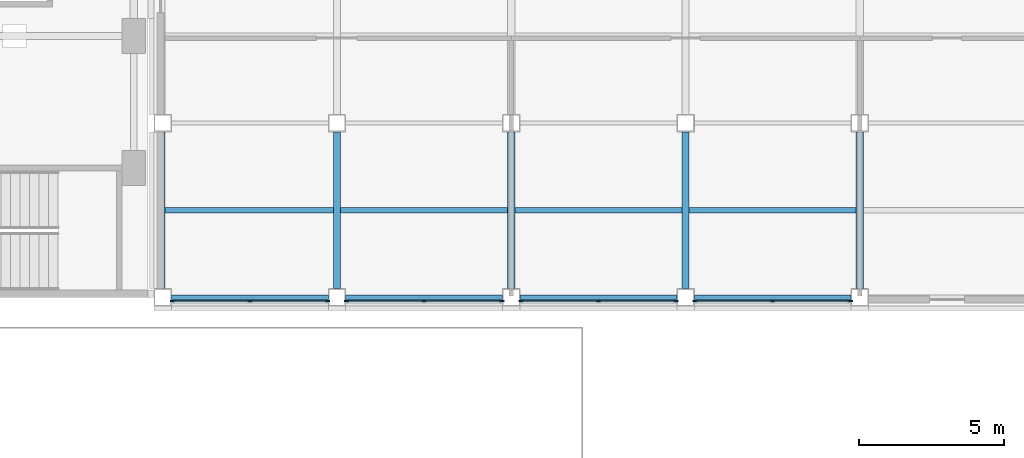
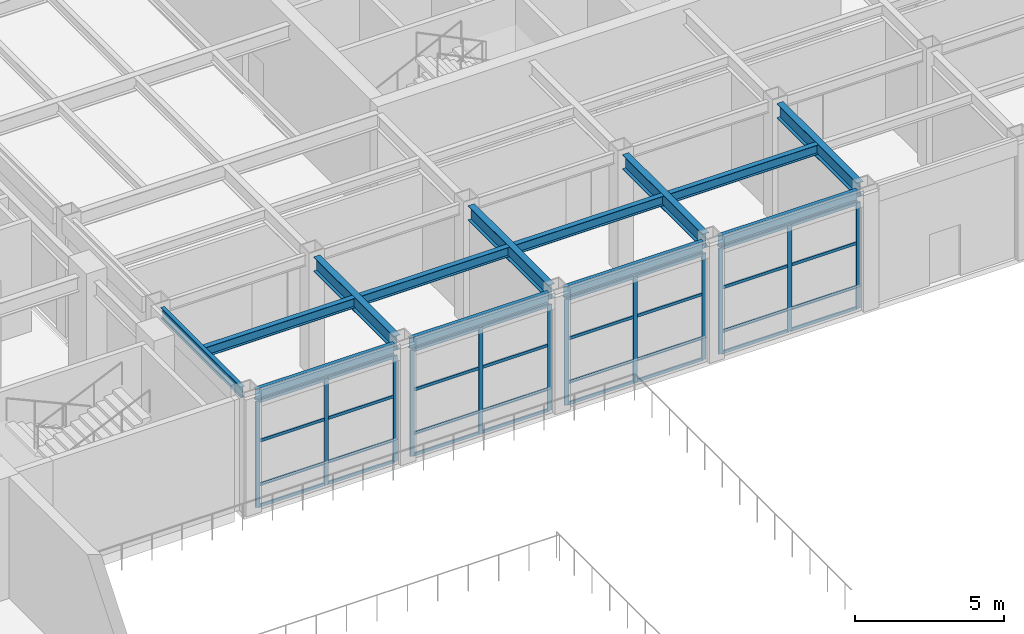
# One storey, part 18 of 77: 44 members, 13 beams, 4 elements without a shape of their own.
"""IFC4 building model written with IfcOpenShell, lengths in metres."""

from ifc_helpers import new_model, si_unit, direction, frame, origin, origin_2d, place, context, subcontext, project, spatial, rectangle, i_section, extrude, material, material_profile, profile_set, type_object, element, aggregate, save


model = new_model("IFC4")

# Units and contexts
model_context = context("Model", 3, precision=1e-05, world=origin(), true_north=direction((0.0, 1.0)))
body_context = subcontext(model_context, "Body", "Model", "MODEL_VIEW")
ifc_project = project(units=[si_unit("LENGTHUNIT", "METRE"), si_unit("AREAUNIT", "SQUARE_METRE"), si_unit("VOLUMEUNIT", "CUBIC_METRE"), si_unit("PLANEANGLEUNIT", "RADIAN"), si_unit("MASSUNIT", "GRAM", prefix="KILO")], contexts=[model_context])

# Site, building, storey
site_placement = place(None, origin())
site = spatial("IfcSite", under=ifc_project, at=site_placement, CompositionType="ELEMENT")
building_placement = place(site_placement, origin())
building = spatial("IfcBuilding", under=site, at=building_placement, Name="Aravalli Gate Trade Fair Centre", CompositionType="ELEMENT")
storey_placement = place(building_placement, origin())
storey = spatial("IfcBuildingStorey", under=building, at=storey_placement, Name="L00", CompositionType="ELEMENT", Elevation=0.0)

# Beams
ifc_material_1 = material(Name="Steel E350", Category="steel")
ifc_material_profile_1 = material_profile(ifc_material_1, i_section(OverallWidth=0.25, OverallDepth=0.60009765625, WebThickness=0.01123046875, FlangeThickness=0.021240234375, at=origin_2d()), Name="ISWB 600")
ifc_profile_set_1 = profile_set([ifc_material_profile_1], Name="Steel E350")
beam_type_1 = type_object("IfcBeamType", Name="Wing core to perimeter girder ISWB 600 (podium floors)", PredefinedType="BEAM", material=ifc_profile_set_1)
for number, where, z_axis, x_axis, name in (
    (1, (172.0, 91.300048828125, 4.5), (0.0, 1.0, 0.0), (-1.0, 0.0, 0.0), "Core to perimeter girder PS0a L01"),
    (2, (178.0, 91.300048828125, 4.5), (0.0, 1.0, 0.0), (-1.0, 0.0, 0.0), "Core to perimeter girder PS1a L01"),
    (3, (184.0, 91.300048828125, 4.5), (0.0, 1.0, 0.0), (-1.0, 0.0, 0.0), "Core to perimeter girder PS2a L01"),
):
    element("IfcBeam", number, at=place(storey_placement, frame(where, z_axis=z_axis, x_axis=x_axis)), inside=storey, type_object=beam_type_1, Name=name, PredefinedType="BEAM", context=body_context, shape_type="SweptSolid", body=[
        extrude(i_section(OverallWidth=0.25, OverallDepth=0.60009765625, WebThickness=0.01123046875, FlangeThickness=0.021240234375, at=origin_2d()), origin(), (0.0, 0.0, 1.0), 5.39990234375),
    ])
ifc_material_profile_2 = material_profile(ifc_material_1, i_section(OverallWidth=0.25, OverallDepth=0.60009765625, WebThickness=0.01123046875, FlangeThickness=0.021240234375, at=origin_2d()), Name="ISWB 600")
ifc_profile_set_2 = profile_set([ifc_material_profile_2], Name="Steel E350")
beam_type_2 = type_object("IfcBeamType", Name="Wing corner transfer girder ISWB 600 (podium floors)", PredefinedType="BEAM", material=ifc_profile_set_2)
beam_1_placement = place(storey_placement, frame((166.0, 91.300048828125, 4.5), z_axis=(0.0, 1.0, 0.0), x_axis=(-1.0, 0.0, 0.0)))
element("IfcBeam", 4, at=beam_1_placement, inside=storey, type_object=beam_type_2, Name="Corner transfer girder CSWya L01", PredefinedType="BEAM", context=body_context, shape_type="SweptSolid", body=[
    extrude(i_section(OverallWidth=0.25, OverallDepth=0.60009765625, WebThickness=0.01123046875, FlangeThickness=0.021240234375, at=origin_2d()), origin(), (0.0, 0.0, 1.0), 5.39990234375),
])

# Curtain wall, members
ifc_material_2 = material(Name="Aluminium and glass", Category="aluminium")
curtain_wall_type = type_object("IfcCurtainWallType", Name="Wing curtain wall", PredefinedType="NOTDEFINED", material=ifc_material_2)
curtain_wall_1_placement = place(storey_placement, origin())
curtain_wall_1 = element("IfcCurtainWall", 5, at=curtain_wall_1_placement, inside=storey, type_object=curtain_wall_type, Name="Curtain wall S0 L00", PredefinedType="NOTDEFINED")
ifc_material_3 = material(Name="Aluminium", Category="aluminium")
ifc_material_profile_3 = material_profile(ifc_material_3, rectangle(XDim=0.06005859375, YDim=0.159912109375, at=origin_2d()), Name="Wing curtain wall mullion 60 x 160")
ifc_profile_set_3 = profile_set([ifc_material_profile_3], Name="Aluminium")
member_type_1 = type_object("IfcMemberType", Name="Wing curtain wall mullion 60 x 160", PredefinedType="MULLION", material=ifc_profile_set_3)
member_1_placement = place(storey_placement, frame((160.330078125, 90.875, 0.0), z_axis=(0.0, 0.0, 1.0), x_axis=(0.0, 1.0, 0.0)))
member_1 = element("IfcMember", 6, at=member_1_placement, type_object=member_type_1, Name="TCW1 mullion 1", PredefinedType="MULLION", context=body_context, shape_type="SweptSolid", body=[
    extrude(rectangle(XDim=0.06005859375, YDim=0.159912109375, at=origin_2d()), origin(), (0.0, 0.0, 1.0), 4.35009765625),
])
member_2_placement = place(storey_placement, frame((163.0, 90.875, 0.0), z_axis=(0.0, 0.0, 1.0), x_axis=(0.0, 1.0, 0.0)))
member_2 = element("IfcMember", 7, at=member_2_placement, type_object=member_type_1, Name="TCW1 mullion 2", PredefinedType="MULLION", context=body_context, shape_type="SweptSolid", body=[
    extrude(rectangle(XDim=0.06005859375, YDim=0.159912109375, at=origin_2d()), origin(), (0.0, 0.0, 1.0), 4.35009765625),
])
member_3_placement = place(storey_placement, frame((165.669921875, 90.875, 0.0), z_axis=(0.0, 0.0, 1.0), x_axis=(0.0, 1.0, 0.0)))
member_3 = element("IfcMember", 8, at=member_3_placement, type_object=member_type_1, Name="TCW1 mullion 3", PredefinedType="MULLION", context=body_context, shape_type="SweptSolid", body=[
    extrude(rectangle(XDim=0.06005859375, YDim=0.159912109375, at=origin_2d()), origin(), (0.0, 0.0, 1.0), 4.35009765625),
])

curtain_wall_2_placement = place(storey_placement, origin())
curtain_wall_2 = element("IfcCurtainWall", 9, at=curtain_wall_2_placement, inside=storey, type_object=curtain_wall_type, Name="Curtain wall S1 L00", PredefinedType="NOTDEFINED")
member_4_placement = place(storey_placement, frame((166.330078125, 90.875, 0.0), z_axis=(0.0, 0.0, 1.0), x_axis=(0.0, 1.0, 0.0)))
member_4 = element("IfcMember", 10, at=member_4_placement, type_object=member_type_1, Name="TCW1 mullion 1", PredefinedType="MULLION", context=body_context, shape_type="SweptSolid", body=[
    extrude(rectangle(XDim=0.06005859375, YDim=0.159912109375, at=origin_2d()), origin(), (0.0, 0.0, 1.0), 4.35009765625),
])
member_5_placement = place(storey_placement, frame((169.0, 90.875, 0.0), z_axis=(0.0, 0.0, 1.0), x_axis=(0.0, 1.0, 0.0)))
member_5 = element("IfcMember", 11, at=member_5_placement, type_object=member_type_1, Name="TCW1 mullion 2", PredefinedType="MULLION", context=body_context, shape_type="SweptSolid", body=[
    extrude(rectangle(XDim=0.06005859375, YDim=0.159912109375, at=origin_2d()), origin(), (0.0, 0.0, 1.0), 4.35009765625),
])
member_6_placement = place(storey_placement, frame((171.669921875, 90.875, 0.0), z_axis=(0.0, 0.0, 1.0), x_axis=(0.0, 1.0, 0.0)))
member_6 = element("IfcMember", 12, at=member_6_placement, type_object=member_type_1, Name="TCW1 mullion 3", PredefinedType="MULLION", context=body_context, shape_type="SweptSolid", body=[
    extrude(rectangle(XDim=0.06005859375, YDim=0.159912109375, at=origin_2d()), origin(), (0.0, 0.0, 1.0), 4.35009765625),
])

curtain_wall_3_placement = place(storey_placement, origin())
curtain_wall_3 = element("IfcCurtainWall", 13, at=curtain_wall_3_placement, inside=storey, type_object=curtain_wall_type, Name="Curtain wall S2 L00", PredefinedType="NOTDEFINED")
member_7_placement = place(storey_placement, frame((172.330078125, 90.875, 0.0), z_axis=(0.0, 0.0, 1.0), x_axis=(0.0, 1.0, 0.0)))
member_7 = element("IfcMember", 14, at=member_7_placement, type_object=member_type_1, Name="TCW1 mullion 1", PredefinedType="MULLION", context=body_context, shape_type="SweptSolid", body=[
    extrude(rectangle(XDim=0.06005859375, YDim=0.159912109375, at=origin_2d()), origin(), (0.0, 0.0, 1.0), 4.35009765625),
])
member_8_placement = place(storey_placement, frame((175.0, 90.875, 0.0), z_axis=(0.0, 0.0, 1.0), x_axis=(0.0, 1.0, 0.0)))
member_8 = element("IfcMember", 15, at=member_8_placement, type_object=member_type_1, Name="TCW1 mullion 2", PredefinedType="MULLION", context=body_context, shape_type="SweptSolid", body=[
    extrude(rectangle(XDim=0.06005859375, YDim=0.159912109375, at=origin_2d()), origin(), (0.0, 0.0, 1.0), 4.35009765625),
])
member_9_placement = place(storey_placement, frame((177.669921875, 90.875, 0.0), z_axis=(0.0, 0.0, 1.0), x_axis=(0.0, 1.0, 0.0)))
member_9 = element("IfcMember", 16, at=member_9_placement, type_object=member_type_1, Name="TCW1 mullion 3", PredefinedType="MULLION", context=body_context, shape_type="SweptSolid", body=[
    extrude(rectangle(XDim=0.06005859375, YDim=0.159912109375, at=origin_2d()), origin(), (0.0, 0.0, 1.0), 4.35009765625),
])

curtain_wall_4_placement = place(storey_placement, origin())
curtain_wall_4 = element("IfcCurtainWall", 17, at=curtain_wall_4_placement, inside=storey, type_object=curtain_wall_type, Name="Curtain wall S3 L00", PredefinedType="NOTDEFINED")
member_10_placement = place(storey_placement, frame((178.330078125, 90.875, 0.0), z_axis=(0.0, 0.0, 1.0), x_axis=(0.0, 1.0, 0.0)))
member_10 = element("IfcMember", 18, at=member_10_placement, type_object=member_type_1, Name="TCW1 mullion 1", PredefinedType="MULLION", context=body_context, shape_type="SweptSolid", body=[
    extrude(rectangle(XDim=0.06005859375, YDim=0.159912109375, at=origin_2d()), origin(), (0.0, 0.0, 1.0), 4.35009765625),
])
member_11_placement = place(storey_placement, frame((181.0, 90.875, 0.0), z_axis=(0.0, 0.0, 1.0), x_axis=(0.0, 1.0, 0.0)))
member_11 = element("IfcMember", 19, at=member_11_placement, type_object=member_type_1, Name="TCW1 mullion 2", PredefinedType="MULLION", context=body_context, shape_type="SweptSolid", body=[
    extrude(rectangle(XDim=0.06005859375, YDim=0.159912109375, at=origin_2d()), origin(), (0.0, 0.0, 1.0), 4.35009765625),
])
member_12_placement = place(storey_placement, frame((183.669921875, 90.875, 0.0), z_axis=(0.0, 0.0, 1.0), x_axis=(0.0, 1.0, 0.0)))
member_12 = element("IfcMember", 20, at=member_12_placement, type_object=member_type_1, Name="TCW1 mullion 3", PredefinedType="MULLION", context=body_context, shape_type="SweptSolid", body=[
    extrude(rectangle(XDim=0.06005859375, YDim=0.159912109375, at=origin_2d()), origin(), (0.0, 0.0, 1.0), 4.35009765625),
])

# Member
ifc_material_profile_4 = material_profile(ifc_material_3, rectangle(XDim=0.06005859375, YDim=0.1201171875, at=origin_2d()), Name="Wing curtain wall transom 60 x 120")
ifc_profile_set_4 = profile_set([ifc_material_profile_4], Name="Aluminium")
member_type_2 = type_object("IfcMemberType", Name="Wing curtain wall transom 60 x 120", PredefinedType="USERDEFINED", material=ifc_profile_set_4)
member_13_placement = place(storey_placement, frame((160.360107421875, 90.875, 0.030029296875), z_axis=(1.0, 0.0, 0.0), x_axis=(0.0, 1.0, 0.0)))
member_13 = element("IfcMember", 21, at=member_13_placement, type_object=member_type_2, Name="TCW1 transom 1.1", ObjectType="TRANSOM", PredefinedType="USERDEFINED", context=body_context, shape_type="SweptSolid", body=[
    extrude(rectangle(XDim=0.06005859375, YDim=0.1201171875, at=origin_2d()), origin(), (0.0, 0.0, 1.0), 2.60986328125),
])

member_14_placement = place(storey_placement, frame((160.360107421875, 90.875, 0.89990234375), z_axis=(1.0, 0.0, 0.0), x_axis=(0.0, 1.0, 0.0)))
member_14 = element("IfcMember", 22, at=member_14_placement, type_object=member_type_2, Name="TCW1 transom 1.2", ObjectType="TRANSOM", PredefinedType="USERDEFINED", context=body_context, shape_type="SweptSolid", body=[
    extrude(rectangle(XDim=0.06005859375, YDim=0.1201171875, at=origin_2d()), origin(), (0.0, 0.0, 1.0), 2.60986328125),
])

member_15_placement = place(storey_placement, frame((160.360107421875, 90.875, 2.699951171875), z_axis=(1.0, 0.0, 0.0), x_axis=(0.0, 1.0, 0.0)))
member_15 = element("IfcMember", 23, at=member_15_placement, type_object=member_type_2, Name="TCW1 transom 1.3", ObjectType="TRANSOM", PredefinedType="USERDEFINED", context=body_context, shape_type="SweptSolid", body=[
    extrude(rectangle(XDim=0.06005859375, YDim=0.1201171875, at=origin_2d()), origin(), (0.0, 0.0, 1.0), 2.60986328125),
])

member_16_placement = place(storey_placement, frame((160.360107421875, 90.875, 4.320068359375), z_axis=(1.0, 0.0, 0.0), x_axis=(0.0, 1.0, 0.0)))
member_16 = element("IfcMember", 24, at=member_16_placement, type_object=member_type_2, Name="TCW1 transom 1.4", ObjectType="TRANSOM", PredefinedType="USERDEFINED", context=body_context, shape_type="SweptSolid", body=[
    extrude(rectangle(XDim=0.06005859375, YDim=0.1201171875, at=origin_2d()), origin(), (0.0, 0.0, 1.0), 2.60986328125),
])

member_17_placement = place(storey_placement, frame((163.030029296875, 90.875, 0.030029296875), z_axis=(1.0, 0.0, 0.0), x_axis=(0.0, 1.0, 0.0)))
member_17 = element("IfcMember", 25, at=member_17_placement, type_object=member_type_2, Name="TCW1 transom 2.1", ObjectType="TRANSOM", PredefinedType="USERDEFINED", context=body_context, shape_type="SweptSolid", body=[
    extrude(rectangle(XDim=0.06005859375, YDim=0.1201171875, at=origin_2d()), origin(), (0.0, 0.0, 1.0), 2.60986328125),
])

member_18_placement = place(storey_placement, frame((163.030029296875, 90.875, 0.89990234375), z_axis=(1.0, 0.0, 0.0), x_axis=(0.0, 1.0, 0.0)))
member_18 = element("IfcMember", 26, at=member_18_placement, type_object=member_type_2, Name="TCW1 transom 2.2", ObjectType="TRANSOM", PredefinedType="USERDEFINED", context=body_context, shape_type="SweptSolid", body=[
    extrude(rectangle(XDim=0.06005859375, YDim=0.1201171875, at=origin_2d()), origin(), (0.0, 0.0, 1.0), 2.60986328125),
])

member_19_placement = place(storey_placement, frame((163.030029296875, 90.875, 2.699951171875), z_axis=(1.0, 0.0, 0.0), x_axis=(0.0, 1.0, 0.0)))
member_19 = element("IfcMember", 27, at=member_19_placement, type_object=member_type_2, Name="TCW1 transom 2.3", ObjectType="TRANSOM", PredefinedType="USERDEFINED", context=body_context, shape_type="SweptSolid", body=[
    extrude(rectangle(XDim=0.06005859375, YDim=0.1201171875, at=origin_2d()), origin(), (0.0, 0.0, 1.0), 2.60986328125),
])

member_20_placement = place(storey_placement, frame((163.030029296875, 90.875, 4.320068359375), z_axis=(1.0, 0.0, 0.0), x_axis=(0.0, 1.0, 0.0)))
member_20 = element("IfcMember", 28, at=member_20_placement, type_object=member_type_2, Name="TCW1 transom 2.4", ObjectType="TRANSOM", PredefinedType="USERDEFINED", context=body_context, shape_type="SweptSolid", body=[
    extrude(rectangle(XDim=0.06005859375, YDim=0.1201171875, at=origin_2d()), origin(), (0.0, 0.0, 1.0), 2.60986328125),
])

aggregate(curtain_wall_1, [member_1, member_2, member_3, member_13, member_14, member_15, member_16, member_17, member_18, member_19, member_20])

member_21_placement = place(storey_placement, frame((166.360107421875, 90.875, 0.030029296875), z_axis=(1.0, 0.0, 0.0), x_axis=(0.0, 1.0, 0.0)))
member_21 = element("IfcMember", 29, at=member_21_placement, type_object=member_type_2, Name="TCW1 transom 1.1", ObjectType="TRANSOM", PredefinedType="USERDEFINED", context=body_context, shape_type="SweptSolid", body=[
    extrude(rectangle(XDim=0.06005859375, YDim=0.1201171875, at=origin_2d()), origin(), (0.0, 0.0, 1.0), 2.60986328125),
])

member_22_placement = place(storey_placement, frame((166.360107421875, 90.875, 0.89990234375), z_axis=(1.0, 0.0, 0.0), x_axis=(0.0, 1.0, 0.0)))
member_22 = element("IfcMember", 30, at=member_22_placement, type_object=member_type_2, Name="TCW1 transom 1.2", ObjectType="TRANSOM", PredefinedType="USERDEFINED", context=body_context, shape_type="SweptSolid", body=[
    extrude(rectangle(XDim=0.06005859375, YDim=0.1201171875, at=origin_2d()), origin(), (0.0, 0.0, 1.0), 2.60986328125),
])

member_23_placement = place(storey_placement, frame((166.360107421875, 90.875, 2.699951171875), z_axis=(1.0, 0.0, 0.0), x_axis=(0.0, 1.0, 0.0)))
member_23 = element("IfcMember", 31, at=member_23_placement, type_object=member_type_2, Name="TCW1 transom 1.3", ObjectType="TRANSOM", PredefinedType="USERDEFINED", context=body_context, shape_type="SweptSolid", body=[
    extrude(rectangle(XDim=0.06005859375, YDim=0.1201171875, at=origin_2d()), origin(), (0.0, 0.0, 1.0), 2.60986328125),
])

member_24_placement = place(storey_placement, frame((166.360107421875, 90.875, 4.320068359375), z_axis=(1.0, 0.0, 0.0), x_axis=(0.0, 1.0, 0.0)))
member_24 = element("IfcMember", 32, at=member_24_placement, type_object=member_type_2, Name="TCW1 transom 1.4", ObjectType="TRANSOM", PredefinedType="USERDEFINED", context=body_context, shape_type="SweptSolid", body=[
    extrude(rectangle(XDim=0.06005859375, YDim=0.1201171875, at=origin_2d()), origin(), (0.0, 0.0, 1.0), 2.60986328125),
])

member_25_placement = place(storey_placement, frame((169.030029296875, 90.875, 0.030029296875), z_axis=(1.0, 0.0, 0.0), x_axis=(0.0, 1.0, 0.0)))
member_25 = element("IfcMember", 33, at=member_25_placement, type_object=member_type_2, Name="TCW1 transom 2.1", ObjectType="TRANSOM", PredefinedType="USERDEFINED", context=body_context, shape_type="SweptSolid", body=[
    extrude(rectangle(XDim=0.06005859375, YDim=0.1201171875, at=origin_2d()), origin(), (0.0, 0.0, 1.0), 2.60986328125),
])

member_26_placement = place(storey_placement, frame((169.030029296875, 90.875, 0.89990234375), z_axis=(1.0, 0.0, 0.0), x_axis=(0.0, 1.0, 0.0)))
member_26 = element("IfcMember", 34, at=member_26_placement, type_object=member_type_2, Name="TCW1 transom 2.2", ObjectType="TRANSOM", PredefinedType="USERDEFINED", context=body_context, shape_type="SweptSolid", body=[
    extrude(rectangle(XDim=0.06005859375, YDim=0.1201171875, at=origin_2d()), origin(), (0.0, 0.0, 1.0), 2.60986328125),
])

member_27_placement = place(storey_placement, frame((169.030029296875, 90.875, 2.699951171875), z_axis=(1.0, 0.0, 0.0), x_axis=(0.0, 1.0, 0.0)))
member_27 = element("IfcMember", 35, at=member_27_placement, type_object=member_type_2, Name="TCW1 transom 2.3", ObjectType="TRANSOM", PredefinedType="USERDEFINED", context=body_context, shape_type="SweptSolid", body=[
    extrude(rectangle(XDim=0.06005859375, YDim=0.1201171875, at=origin_2d()), origin(), (0.0, 0.0, 1.0), 2.60986328125),
])

member_28_placement = place(storey_placement, frame((169.030029296875, 90.875, 4.320068359375), z_axis=(1.0, 0.0, 0.0), x_axis=(0.0, 1.0, 0.0)))
member_28 = element("IfcMember", 36, at=member_28_placement, type_object=member_type_2, Name="TCW1 transom 2.4", ObjectType="TRANSOM", PredefinedType="USERDEFINED", context=body_context, shape_type="SweptSolid", body=[
    extrude(rectangle(XDim=0.06005859375, YDim=0.1201171875, at=origin_2d()), origin(), (0.0, 0.0, 1.0), 2.60986328125),
])

aggregate(curtain_wall_2, [member_4, member_5, member_6, member_21, member_22, member_23, member_24, member_25, member_26, member_27, member_28])

member_29_placement = place(storey_placement, frame((172.360107421875, 90.875, 0.030029296875), z_axis=(1.0, 0.0, 0.0), x_axis=(0.0, 1.0, 0.0)))
member_29 = element("IfcMember", 37, at=member_29_placement, type_object=member_type_2, Name="TCW1 transom 1.1", ObjectType="TRANSOM", PredefinedType="USERDEFINED", context=body_context, shape_type="SweptSolid", body=[
    extrude(rectangle(XDim=0.06005859375, YDim=0.1201171875, at=origin_2d()), origin(), (0.0, 0.0, 1.0), 2.60986328125),
])

member_30_placement = place(storey_placement, frame((172.360107421875, 90.875, 0.89990234375), z_axis=(1.0, 0.0, 0.0), x_axis=(0.0, 1.0, 0.0)))
member_30 = element("IfcMember", 38, at=member_30_placement, type_object=member_type_2, Name="TCW1 transom 1.2", ObjectType="TRANSOM", PredefinedType="USERDEFINED", context=body_context, shape_type="SweptSolid", body=[
    extrude(rectangle(XDim=0.06005859375, YDim=0.1201171875, at=origin_2d()), origin(), (0.0, 0.0, 1.0), 2.60986328125),
])

member_31_placement = place(storey_placement, frame((172.360107421875, 90.875, 2.699951171875), z_axis=(1.0, 0.0, 0.0), x_axis=(0.0, 1.0, 0.0)))
member_31 = element("IfcMember", 39, at=member_31_placement, type_object=member_type_2, Name="TCW1 transom 1.3", ObjectType="TRANSOM", PredefinedType="USERDEFINED", context=body_context, shape_type="SweptSolid", body=[
    extrude(rectangle(XDim=0.06005859375, YDim=0.1201171875, at=origin_2d()), origin(), (0.0, 0.0, 1.0), 2.60986328125),
])

member_32_placement = place(storey_placement, frame((172.360107421875, 90.875, 4.320068359375), z_axis=(1.0, 0.0, 0.0), x_axis=(0.0, 1.0, 0.0)))
member_32 = element("IfcMember", 40, at=member_32_placement, type_object=member_type_2, Name="TCW1 transom 1.4", ObjectType="TRANSOM", PredefinedType="USERDEFINED", context=body_context, shape_type="SweptSolid", body=[
    extrude(rectangle(XDim=0.06005859375, YDim=0.1201171875, at=origin_2d()), origin(), (0.0, 0.0, 1.0), 2.60986328125),
])

member_33_placement = place(storey_placement, frame((175.030029296875, 90.875, 0.030029296875), z_axis=(1.0, 0.0, 0.0), x_axis=(0.0, 1.0, 0.0)))
member_33 = element("IfcMember", 41, at=member_33_placement, type_object=member_type_2, Name="TCW1 transom 2.1", ObjectType="TRANSOM", PredefinedType="USERDEFINED", context=body_context, shape_type="SweptSolid", body=[
    extrude(rectangle(XDim=0.06005859375, YDim=0.1201171875, at=origin_2d()), origin(), (0.0, 0.0, 1.0), 2.60986328125),
])

member_34_placement = place(storey_placement, frame((175.030029296875, 90.875, 0.89990234375), z_axis=(1.0, 0.0, 0.0), x_axis=(0.0, 1.0, 0.0)))
member_34 = element("IfcMember", 42, at=member_34_placement, type_object=member_type_2, Name="TCW1 transom 2.2", ObjectType="TRANSOM", PredefinedType="USERDEFINED", context=body_context, shape_type="SweptSolid", body=[
    extrude(rectangle(XDim=0.06005859375, YDim=0.1201171875, at=origin_2d()), origin(), (0.0, 0.0, 1.0), 2.60986328125),
])

member_35_placement = place(storey_placement, frame((175.030029296875, 90.875, 2.699951171875), z_axis=(1.0, 0.0, 0.0), x_axis=(0.0, 1.0, 0.0)))
member_35 = element("IfcMember", 43, at=member_35_placement, type_object=member_type_2, Name="TCW1 transom 2.3", ObjectType="TRANSOM", PredefinedType="USERDEFINED", context=body_context, shape_type="SweptSolid", body=[
    extrude(rectangle(XDim=0.06005859375, YDim=0.1201171875, at=origin_2d()), origin(), (0.0, 0.0, 1.0), 2.60986328125),
])

member_36_placement = place(storey_placement, frame((175.030029296875, 90.875, 4.320068359375), z_axis=(1.0, 0.0, 0.0), x_axis=(0.0, 1.0, 0.0)))
member_36 = element("IfcMember", 44, at=member_36_placement, type_object=member_type_2, Name="TCW1 transom 2.4", ObjectType="TRANSOM", PredefinedType="USERDEFINED", context=body_context, shape_type="SweptSolid", body=[
    extrude(rectangle(XDim=0.06005859375, YDim=0.1201171875, at=origin_2d()), origin(), (0.0, 0.0, 1.0), 2.60986328125),
])

aggregate(curtain_wall_3, [member_7, member_8, member_9, member_29, member_30, member_31, member_32, member_33, member_34, member_35, member_36])

member_37_placement = place(storey_placement, frame((178.360107421875, 90.875, 0.030029296875), z_axis=(1.0, 0.0, 0.0), x_axis=(0.0, 1.0, 0.0)))
member_37 = element("IfcMember", 45, at=member_37_placement, type_object=member_type_2, Name="TCW1 transom 1.1", ObjectType="TRANSOM", PredefinedType="USERDEFINED", context=body_context, shape_type="SweptSolid", body=[
    extrude(rectangle(XDim=0.06005859375, YDim=0.1201171875, at=origin_2d()), origin(), (0.0, 0.0, 1.0), 2.60986328125),
])

member_38_placement = place(storey_placement, frame((178.360107421875, 90.875, 0.89990234375), z_axis=(1.0, 0.0, 0.0), x_axis=(0.0, 1.0, 0.0)))
member_38 = element("IfcMember", 46, at=member_38_placement, type_object=member_type_2, Name="TCW1 transom 1.2", ObjectType="TRANSOM", PredefinedType="USERDEFINED", context=body_context, shape_type="SweptSolid", body=[
    extrude(rectangle(XDim=0.06005859375, YDim=0.1201171875, at=origin_2d()), origin(), (0.0, 0.0, 1.0), 2.60986328125),
])

member_39_placement = place(storey_placement, frame((178.360107421875, 90.875, 2.699951171875), z_axis=(1.0, 0.0, 0.0), x_axis=(0.0, 1.0, 0.0)))
member_39 = element("IfcMember", 47, at=member_39_placement, type_object=member_type_2, Name="TCW1 transom 1.3", ObjectType="TRANSOM", PredefinedType="USERDEFINED", context=body_context, shape_type="SweptSolid", body=[
    extrude(rectangle(XDim=0.06005859375, YDim=0.1201171875, at=origin_2d()), origin(), (0.0, 0.0, 1.0), 2.60986328125),
])

member_40_placement = place(storey_placement, frame((178.360107421875, 90.875, 4.320068359375), z_axis=(1.0, 0.0, 0.0), x_axis=(0.0, 1.0, 0.0)))
member_40 = element("IfcMember", 48, at=member_40_placement, type_object=member_type_2, Name="TCW1 transom 1.4", ObjectType="TRANSOM", PredefinedType="USERDEFINED", context=body_context, shape_type="SweptSolid", body=[
    extrude(rectangle(XDim=0.06005859375, YDim=0.1201171875, at=origin_2d()), origin(), (0.0, 0.0, 1.0), 2.60986328125),
])

member_41_placement = place(storey_placement, frame((181.030029296875, 90.875, 0.030029296875), z_axis=(1.0, 0.0, 0.0), x_axis=(0.0, 1.0, 0.0)))
member_41 = element("IfcMember", 49, at=member_41_placement, type_object=member_type_2, Name="TCW1 transom 2.1", ObjectType="TRANSOM", PredefinedType="USERDEFINED", context=body_context, shape_type="SweptSolid", body=[
    extrude(rectangle(XDim=0.06005859375, YDim=0.1201171875, at=origin_2d()), origin(), (0.0, 0.0, 1.0), 2.60986328125),
])

member_42_placement = place(storey_placement, frame((181.030029296875, 90.875, 0.89990234375), z_axis=(1.0, 0.0, 0.0), x_axis=(0.0, 1.0, 0.0)))
member_42 = element("IfcMember", 50, at=member_42_placement, type_object=member_type_2, Name="TCW1 transom 2.2", ObjectType="TRANSOM", PredefinedType="USERDEFINED", context=body_context, shape_type="SweptSolid", body=[
    extrude(rectangle(XDim=0.06005859375, YDim=0.1201171875, at=origin_2d()), origin(), (0.0, 0.0, 1.0), 2.60986328125),
])

member_43_placement = place(storey_placement, frame((181.030029296875, 90.875, 2.699951171875), z_axis=(1.0, 0.0, 0.0), x_axis=(0.0, 1.0, 0.0)))
member_43 = element("IfcMember", 51, at=member_43_placement, type_object=member_type_2, Name="TCW1 transom 2.3", ObjectType="TRANSOM", PredefinedType="USERDEFINED", context=body_context, shape_type="SweptSolid", body=[
    extrude(rectangle(XDim=0.06005859375, YDim=0.1201171875, at=origin_2d()), origin(), (0.0, 0.0, 1.0), 2.60986328125),
])

member_44_placement = place(storey_placement, frame((181.030029296875, 90.875, 4.320068359375), z_axis=(1.0, 0.0, 0.0), x_axis=(0.0, 1.0, 0.0)))
member_44 = element("IfcMember", 52, at=member_44_placement, type_object=member_type_2, Name="TCW1 transom 2.4", ObjectType="TRANSOM", PredefinedType="USERDEFINED", context=body_context, shape_type="SweptSolid", body=[
    extrude(rectangle(XDim=0.06005859375, YDim=0.1201171875, at=origin_2d()), origin(), (0.0, 0.0, 1.0), 2.60986328125),
])

aggregate(curtain_wall_4, [member_10, member_11, member_12, member_37, member_38, member_39, member_40, member_41, member_42, member_43, member_44])

# Beams
ifc_material_profile_5 = material_profile(ifc_material_1, i_section(OverallWidth=0.14990234375, OverallDepth=0.449951171875, WebThickness=0.009521484375, FlangeThickness=0.017333984375, at=origin_2d()), Name="ISMB 450")
ifc_profile_set_5 = profile_set([ifc_material_profile_5], Name="Steel E350")
beam_type_3 = type_object("IfcBeamType", Name="Wing perimeter beam ISMB 450 (podium floors)", PredefinedType="BEAM", material=ifc_profile_set_5)
for number, where, z_axis, x_axis, name in (
    (53, (160.300048828125, 91.0, 4.574951171875), (1.0, 0.0, 0.0), (0.0, 1.0, 0.0), "Perimeter beam ES0 L01"),
    (54, (166.300048828125, 91.0, 4.574951171875), (1.0, 0.0, 0.0), (0.0, 1.0, 0.0), "Perimeter beam ES1 L01"),
    (55, (172.300048828125, 91.0, 4.574951171875), (1.0, 0.0, 0.0), (0.0, 1.0, 0.0), "Perimeter beam ES2 L01"),
    (56, (178.300048828125, 91.0, 4.574951171875), (1.0, 0.0, 0.0), (0.0, 1.0, 0.0), "Perimeter beam ES3 L01"),
    (57, (160.0, 91.300048828125, 4.574951171875), (0.0, 1.0, 0.0), (-1.0, 0.0, 0.0), "Perimeter beam EW0 L01"),
):
    element("IfcBeam", number, at=place(storey_placement, frame(where, z_axis=z_axis, x_axis=x_axis)), inside=storey, type_object=beam_type_3, Name=name, PredefinedType="BEAM", context=body_context, shape_type="SweptSolid", body=[
        extrude(i_section(OverallWidth=0.14990234375, OverallDepth=0.449951171875, WebThickness=0.009521484375, FlangeThickness=0.017333984375, at=origin_2d()), origin(), (0.0, 0.0, 1.0), 5.39990234375),
    ])
ifc_material_profile_6 = material_profile(ifc_material_1, i_section(OverallWidth=0.199951171875, OverallDepth=0.39990234375, WebThickness=0.008544921875, FlangeThickness=0.012939453125, at=origin_2d()), Name="ISWB 400")
ifc_profile_set_6 = profile_set([ifc_material_profile_6], Name="Steel E350")
beam_type_4 = type_object("IfcBeamType", Name="Wing secondary beam ISWB 400 (podium floors)", PredefinedType="BEAM", material=ifc_profile_set_6)
beam_2_placement = place(storey_placement, frame((160.074951171875, 94.0, 4.60009765625), z_axis=(1.0, 0.0, 0.0), x_axis=(0.0, 1.0, 0.0)))
element("IfcBeam", 58, at=beam_2_placement, inside=storey, type_object=beam_type_4, Name="Secondary beam KWS00 L01", PredefinedType="BEAM", context=body_context, shape_type="SweptSolid", body=[
    extrude(i_section(OverallWidth=0.199951171875, OverallDepth=0.39990234375, WebThickness=0.008544921875, FlangeThickness=0.012939453125, at=origin_2d()), origin(), (0.0, 0.0, 1.0), 5.800048828125),
])
for number, where, z_axis, x_axis, name in (
    (59, (166.125, 94.0, 4.60009765625), (1.0, 0.0, 0.0), (0.0, 1.0, 0.0), "Secondary beam KWS01 L01"),
    (60, (172.125, 94.0, 4.60009765625), (1.0, 0.0, 0.0), (0.0, 1.0, 0.0), "Secondary beam BS094 L01"),
    (61, (178.125, 94.0, 4.60009765625), (1.0, 0.0, 0.0), (0.0, 1.0, 0.0), "Secondary beam BS194 L01"),
):
    element("IfcBeam", number, at=place(storey_placement, frame(where, z_axis=z_axis, x_axis=x_axis)), inside=storey, type_object=beam_type_4, Name=name, PredefinedType="BEAM", context=body_context, shape_type="SweptSolid", body=[
        extrude(i_section(OverallWidth=0.199951171875, OverallDepth=0.39990234375, WebThickness=0.008544921875, FlangeThickness=0.012939453125, at=origin_2d()), origin(), (0.0, 0.0, 1.0), 5.75),
    ])

save(model, "model.ifc")
